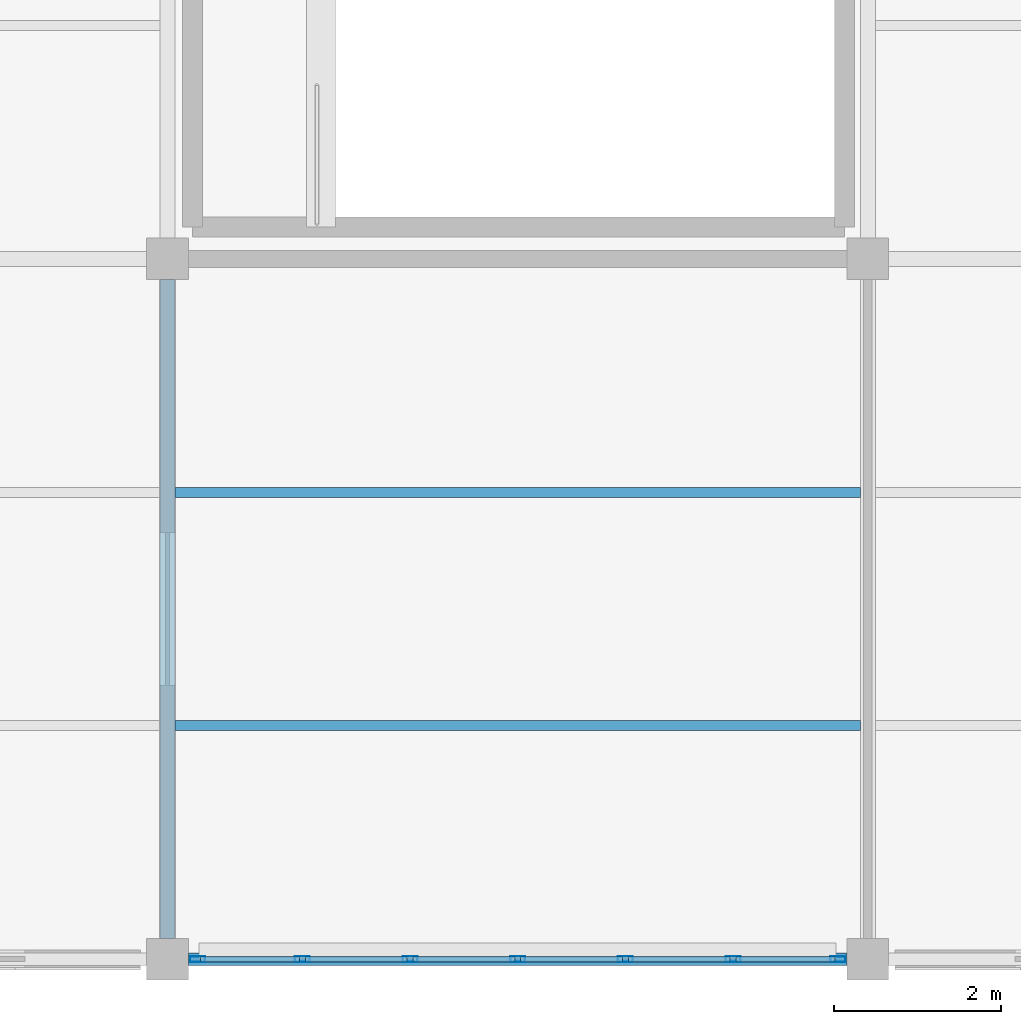
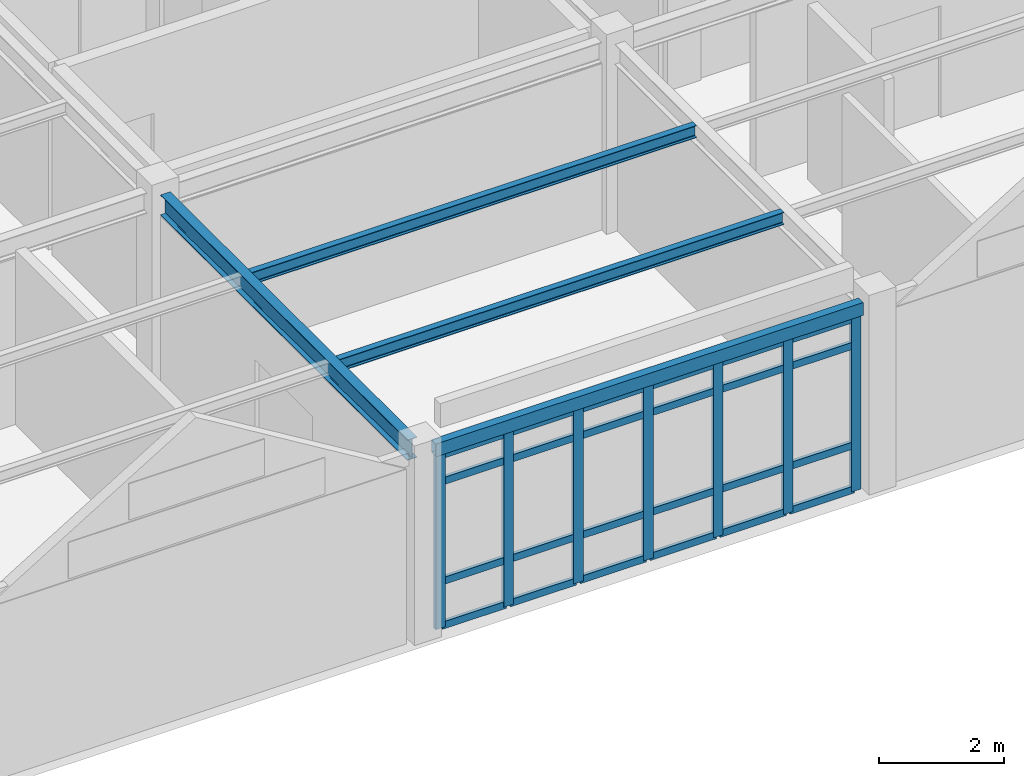
# One storey, part 2 of 45: 31 members, 4 beams, 1 element without a shape of its own.
"""IFC4 building model written with IfcOpenShell, lengths in metres."""

from ifc_helpers import new_model, si_unit, direction, frame, origin, origin_2d, place, context, subcontext, project, spatial, hollow_rectangle, i_section, extrude, material, layer, layer_set, material_profile, profile_set, type_object, element, aggregate, save


model = new_model("IFC4")

# Units and contexts
model_context = context("Model", 3, precision=1e-05, world=origin(), true_north=direction((0.0, 1.0)))
body_context = subcontext(model_context, "Body", "Model", "MODEL_VIEW")
ifc_project = project(units=[si_unit("LENGTHUNIT", "METRE"), si_unit("AREAUNIT", "SQUARE_METRE"), si_unit("VOLUMEUNIT", "CUBIC_METRE"), si_unit("PLANEANGLEUNIT", "RADIAN"), si_unit("MASSUNIT", "GRAM", prefix="KILO")], contexts=[model_context])

# Site, building, storey
site_placement = place(None, origin())
site = spatial("IfcSite", under=ifc_project, at=site_placement, CompositionType="ELEMENT")
building_placement = place(site_placement, origin())
building = spatial("IfcBuilding", under=site, at=building_placement, Name="Bramfleet General Hospital", CompositionType="ELEMENT")
storey_placement = place(building_placement, frame((0.0, 0.0, 30.300048828125)))
storey = spatial("IfcBuildingStorey", under=building, at=storey_placement, Name="L07", CompositionType="ELEMENT", Elevation=30.300048828125)

# Beams
ifc_material_1 = material(Name="Steel S355", Category="steel")
ifc_material_profile_1 = material_profile(ifc_material_1, i_section(OverallWidth=0.1201171875, OverallDepth=0.239990234375, WebThickness=0.006103515625, FlangeThickness=0.009765625, FilletRadius=0.014892578125, at=origin_2d()), Name="IPE 240")
ifc_profile_set_1 = profile_set([ifc_material_profile_1], Name="Steel S355")
beam_type_1 = type_object("IfcBeamType", Name="BM-IPE240", PredefinedType="JOIST", material=ifc_profile_set_1)
for number, where, z_axis, x_axis, name in (
    (1, (100.889892578125, 2.800048828125, 3.5400390625), (1.0, 0.0, 0.0), (0.0, 1.0, 0.0), "L07 Secondary Joist 12-00-1"),
    (2, (100.889892578125, 5.60009765625, 3.5400390625), (1.0, 0.0, 0.0), (0.0, 1.0, 0.0), "L07 Secondary Joist 12-00-2"),
):
    element("IfcBeam", number, at=place(storey_placement, frame(where, z_axis=z_axis, x_axis=x_axis)), inside=storey, type_object=beam_type_1, Name=name, PredefinedType="JOIST", context=body_context, shape_type="SweptSolid", body=[
        extrude(i_section(OverallWidth=0.1201171875, OverallDepth=0.239990234375, WebThickness=0.006103515625, FlangeThickness=0.009765625, FilletRadius=0.014892578125, at=origin_2d()), origin(), (0.0, 0.0, 1.0), 8.22021484375),
    ])
ifc_material_profile_2 = material_profile(ifc_material_1, i_section(OverallWidth=0.179931640625, OverallDepth=0.39990234375, WebThickness=0.008544921875, FlangeThickness=0.013427734375, FilletRadius=0.02099609375, at=origin_2d()), Name="IPE 400")
ifc_profile_set_2 = profile_set([ifc_material_profile_2], Name="Steel S355")
beam_type_2 = type_object("IfcBeamType", Name="BM-IPE400", PredefinedType="BEAM", material=ifc_profile_set_2)
beam_1_placement = place(storey_placement, frame((100.800048828125, 0.25, 3.4599609375), z_axis=(0.0, 1.0, 0.0), x_axis=(-1.0, 0.0, 0.0)))
element("IfcBeam", 3, at=beam_1_placement, inside=storey, type_object=beam_type_2, Name="L07 Grid Beam Y 12-00", PredefinedType="BEAM", context=body_context, shape_type="SweptSolid", body=[
    extrude(i_section(OverallWidth=0.179931640625, OverallDepth=0.39990234375, WebThickness=0.008544921875, FlangeThickness=0.013427734375, FilletRadius=0.02099609375, at=origin_2d()), origin(), (0.0, 0.0, 1.0), 7.89990234375),
])
ifc_material_profile_3 = material_profile(ifc_material_1, hollow_rectangle(XDim=0.14990234375, YDim=0.25, WallThickness=0.010009765625, at=origin_2d()), Name="RHS 250x150x10.0")
ifc_profile_set_3 = profile_set([ifc_material_profile_3], Name="Steel S355")
beam_type_3 = type_object("IfcBeamType", Name="BM-RHS250", PredefinedType="SPANDREL", material=ifc_profile_set_3)
beam_2_placement = place(storey_placement, frame((101.050048828125, 0.0, 3.534912109375), z_axis=(1.0, 0.0, 0.0), x_axis=(0.0, 1.0, 0.0)))
element("IfcBeam", 4, at=beam_2_placement, inside=storey, type_object=beam_type_3, Name="L07 Grid Beam X 12-00", PredefinedType="SPANDREL", context=body_context, shape_type="SweptSolid", body=[
    extrude(hollow_rectangle(XDim=0.14990234375, YDim=0.25, WallThickness=0.010009765625, at=origin_2d()), origin(), (0.0, 0.0, 1.0), 7.89990234375),
])

# Curtain wall, members
ifc_material_2 = material(Name="Anodised aluminium and low-E triple glazing", Category="aluminium")
ifc_layer = layer(ifc_material_2, 0.179931640625, Name="CWT-CW-16")
ifc_layer_set = layer_set([ifc_layer], Name="Anodised aluminium and low-E triple glazing")
curtain_wall_type = type_object("IfcCurtainWallType", Name="CWT-CW-16", PredefinedType="USERDEFINED", material=ifc_layer_set)
curtain_wall_placement = place(storey_placement, origin())
curtain_wall = element("IfcCurtainWall", 5, at=curtain_wall_placement, inside=storey, type_object=curtain_wall_type, Name="L07 Curtain Wall 232", ObjectType="Stick curtain wall", PredefinedType="USERDEFINED")
ifc_material_3 = material(Name="Anodised aluminium EN AW-6060", Category="aluminium")
ifc_material_profile_4 = material_profile(ifc_material_3, hollow_rectangle(XDim=0.070068359375, YDim=0.179931640625, WallThickness=0.00390625, at=origin_2d()), Name="ALU 180x70x4.0")
ifc_profile_set_4 = profile_set([ifc_material_profile_4], Name="Anodised aluminium EN AW-6060")
member_type_1 = type_object("IfcMemberType", Name="CWM-ALU180", PredefinedType="MULLION", material=ifc_profile_set_4)
member_1_placement = place(storey_placement, frame((108.840087890625, 0.0, 0.0), z_axis=(0.0, 0.0, 1.0), x_axis=(0.0, -1.0, 0.0)))
member_1 = element("IfcMember", 6, at=member_1_placement, type_object=member_type_1, Name="CW-16 mullion 1", PredefinedType="MULLION", context=body_context, shape_type="SweptSolid", body=[
    extrude(hollow_rectangle(XDim=0.070068359375, YDim=0.179931640625, WallThickness=0.00390625, at=origin_2d()), origin(), (0.0, 0.0, 1.0), 3.39990234375),
])
member_2_placement = place(storey_placement, frame((107.583251953125, 0.0, 0.0), z_axis=(0.0, 0.0, 1.0), x_axis=(0.0, -1.0, 0.0)))
member_2 = element("IfcMember", 7, at=member_2_placement, type_object=member_type_1, Name="CW-16 mullion 2", PredefinedType="MULLION", context=body_context, shape_type="SweptSolid", body=[
    extrude(hollow_rectangle(XDim=0.070068359375, YDim=0.179931640625, WallThickness=0.00390625, at=origin_2d()), origin(), (0.0, 0.0, 1.0), 3.39990234375),
])
member_3_placement = place(storey_placement, frame((106.291748046875, 0.0, 0.0), z_axis=(0.0, 0.0, 1.0), x_axis=(0.0, -1.0, 0.0)))
member_3 = element("IfcMember", 8, at=member_3_placement, type_object=member_type_1, Name="CW-16 mullion 3", PredefinedType="MULLION", context=body_context, shape_type="SweptSolid", body=[
    extrude(hollow_rectangle(XDim=0.070068359375, YDim=0.179931640625, WallThickness=0.00390625, at=origin_2d()), origin(), (0.0, 0.0, 1.0), 3.39990234375),
])
member_4_placement = place(storey_placement, frame((105.0, 0.0, 0.0), z_axis=(0.0, 0.0, 1.0), x_axis=(0.0, -1.0, 0.0)))
member_4 = element("IfcMember", 9, at=member_4_placement, type_object=member_type_1, Name="CW-16 mullion 4", PredefinedType="MULLION", context=body_context, shape_type="SweptSolid", body=[
    extrude(hollow_rectangle(XDim=0.070068359375, YDim=0.179931640625, WallThickness=0.00390625, at=origin_2d()), origin(), (0.0, 0.0, 1.0), 3.39990234375),
])
member_5_placement = place(storey_placement, frame((103.708251953125, 0.0, 0.0), z_axis=(0.0, 0.0, 1.0), x_axis=(0.0, -1.0, 0.0)))
member_5 = element("IfcMember", 10, at=member_5_placement, type_object=member_type_1, Name="CW-16 mullion 5", PredefinedType="MULLION", context=body_context, shape_type="SweptSolid", body=[
    extrude(hollow_rectangle(XDim=0.070068359375, YDim=0.179931640625, WallThickness=0.00390625, at=origin_2d()), origin(), (0.0, 0.0, 1.0), 3.39990234375),
])
member_6_placement = place(storey_placement, frame((102.416748046875, 0.0, 0.0), z_axis=(0.0, 0.0, 1.0), x_axis=(0.0, -1.0, 0.0)))
member_6 = element("IfcMember", 11, at=member_6_placement, type_object=member_type_1, Name="CW-16 mullion 6", PredefinedType="MULLION", context=body_context, shape_type="SweptSolid", body=[
    extrude(hollow_rectangle(XDim=0.070068359375, YDim=0.179931640625, WallThickness=0.00390625, at=origin_2d()), origin(), (0.0, 0.0, 1.0), 3.39990234375),
])
member_7_placement = place(storey_placement, frame((101.159912109375, 0.0, 0.0), z_axis=(0.0, 0.0, 1.0), x_axis=(0.0, -1.0, 0.0)))
member_7 = element("IfcMember", 12, at=member_7_placement, type_object=member_type_1, Name="CW-16 mullion 7", PredefinedType="MULLION", context=body_context, shape_type="SweptSolid", body=[
    extrude(hollow_rectangle(XDim=0.070068359375, YDim=0.179931640625, WallThickness=0.00390625, at=origin_2d()), origin(), (0.0, 0.0, 1.0), 3.39990234375),
])
ifc_material_profile_5 = material_profile(ifc_material_3, hollow_rectangle(XDim=0.06494140625, YDim=0.139892578125, WallThickness=0.00390625, at=origin_2d()), Name="ALU 140x65x4.0")
ifc_profile_set_5 = profile_set([ifc_material_profile_5], Name="Anodised aluminium EN AW-6060")
member_type_2 = type_object("IfcMemberType", Name="CWT-ALU140", PredefinedType="USERDEFINED", material=ifc_profile_set_5)
member_8_placement = place(storey_placement, frame((108.804931640625, 0.0, 0.032470703125), z_axis=(-1.0, 0.0, 0.0), x_axis=(0.0, -1.0, 0.0)))
member_8 = element("IfcMember", 13, at=member_8_placement, type_object=member_type_2, Name="CW-16 transom 1.1", ObjectType="TRANSOM", PredefinedType="USERDEFINED", context=body_context, shape_type="SweptSolid", body=[
    extrude(hollow_rectangle(XDim=0.06494140625, YDim=0.139892578125, WallThickness=0.00390625, at=origin_2d()), origin(), (0.0, 0.0, 1.0), 1.1865234375),
])
member_9_placement = place(storey_placement, frame((108.804931640625, 0.0, 0.89990234375), z_axis=(-1.0, 0.0, 0.0), x_axis=(0.0, -1.0, 0.0)))
member_9 = element("IfcMember", 14, at=member_9_placement, type_object=member_type_2, Name="CW-16 transom 1.2", ObjectType="TRANSOM", PredefinedType="USERDEFINED", context=body_context, shape_type="SweptSolid", body=[
    extrude(hollow_rectangle(XDim=0.06494140625, YDim=0.139892578125, WallThickness=0.00390625, at=origin_2d()), origin(), (0.0, 0.0, 1.0), 1.1865234375),
])
member_10_placement = place(storey_placement, frame((108.804931640625, 0.0, 2.849853515625), z_axis=(-1.0, 0.0, 0.0), x_axis=(0.0, -1.0, 0.0)))
member_10 = element("IfcMember", 15, at=member_10_placement, type_object=member_type_2, Name="CW-16 transom 1.3", ObjectType="TRANSOM", PredefinedType="USERDEFINED", context=body_context, shape_type="SweptSolid", body=[
    extrude(hollow_rectangle(XDim=0.06494140625, YDim=0.139892578125, WallThickness=0.00390625, at=origin_2d()), origin(), (0.0, 0.0, 1.0), 1.1865234375),
])
member_11_placement = place(storey_placement, frame((108.804931640625, 0.0, 3.367431640625), z_axis=(-1.0, 0.0, 0.0), x_axis=(0.0, -1.0, 0.0)))
member_11 = element("IfcMember", 16, at=member_11_placement, type_object=member_type_2, Name="CW-16 transom 1.4", ObjectType="TRANSOM", PredefinedType="USERDEFINED", context=body_context, shape_type="SweptSolid", body=[
    extrude(hollow_rectangle(XDim=0.06494140625, YDim=0.139892578125, WallThickness=0.00390625, at=origin_2d()), origin(), (0.0, 0.0, 1.0), 1.1865234375),
])
member_12_placement = place(storey_placement, frame((107.54833984375, 0.0, 0.032470703125), z_axis=(-1.0, 0.0, 0.0), x_axis=(0.0, -1.0, 0.0)))
member_12 = element("IfcMember", 17, at=member_12_placement, type_object=member_type_2, Name="CW-16 transom 2.1", ObjectType="TRANSOM", PredefinedType="USERDEFINED", context=body_context, shape_type="SweptSolid", body=[
    extrude(hollow_rectangle(XDim=0.06494140625, YDim=0.139892578125, WallThickness=0.00390625, at=origin_2d()), origin(), (0.0, 0.0, 1.0), 1.2216796875),
])
member_13_placement = place(storey_placement, frame((107.54833984375, 0.0, 0.89990234375), z_axis=(-1.0, 0.0, 0.0), x_axis=(0.0, -1.0, 0.0)))
member_13 = element("IfcMember", 18, at=member_13_placement, type_object=member_type_2, Name="CW-16 transom 2.2", ObjectType="TRANSOM", PredefinedType="USERDEFINED", context=body_context, shape_type="SweptSolid", body=[
    extrude(hollow_rectangle(XDim=0.06494140625, YDim=0.139892578125, WallThickness=0.00390625, at=origin_2d()), origin(), (0.0, 0.0, 1.0), 1.2216796875),
])
member_14_placement = place(storey_placement, frame((107.54833984375, 0.0, 2.849853515625), z_axis=(-1.0, 0.0, 0.0), x_axis=(0.0, -1.0, 0.0)))
member_14 = element("IfcMember", 19, at=member_14_placement, type_object=member_type_2, Name="CW-16 transom 2.3", ObjectType="TRANSOM", PredefinedType="USERDEFINED", context=body_context, shape_type="SweptSolid", body=[
    extrude(hollow_rectangle(XDim=0.06494140625, YDim=0.139892578125, WallThickness=0.00390625, at=origin_2d()), origin(), (0.0, 0.0, 1.0), 1.2216796875),
])
member_15_placement = place(storey_placement, frame((107.54833984375, 0.0, 3.367431640625), z_axis=(-1.0, 0.0, 0.0), x_axis=(0.0, -1.0, 0.0)))
member_15 = element("IfcMember", 20, at=member_15_placement, type_object=member_type_2, Name="CW-16 transom 2.4", ObjectType="TRANSOM", PredefinedType="USERDEFINED", context=body_context, shape_type="SweptSolid", body=[
    extrude(hollow_rectangle(XDim=0.06494140625, YDim=0.139892578125, WallThickness=0.00390625, at=origin_2d()), origin(), (0.0, 0.0, 1.0), 1.2216796875),
])
member_16_placement = place(storey_placement, frame((106.256591796875, 0.0, 0.032470703125), z_axis=(-1.0, 0.0, 0.0), x_axis=(0.0, -1.0, 0.0)))
member_16 = element("IfcMember", 21, at=member_16_placement, type_object=member_type_2, Name="CW-16 transom 3.1", ObjectType="TRANSOM", PredefinedType="USERDEFINED", context=body_context, shape_type="SweptSolid", body=[
    extrude(hollow_rectangle(XDim=0.06494140625, YDim=0.139892578125, WallThickness=0.00390625, at=origin_2d()), origin(), (0.0, 0.0, 1.0), 1.2216796875),
])
member_17_placement = place(storey_placement, frame((106.256591796875, 0.0, 0.89990234375), z_axis=(-1.0, 0.0, 0.0), x_axis=(0.0, -1.0, 0.0)))
member_17 = element("IfcMember", 22, at=member_17_placement, type_object=member_type_2, Name="CW-16 transom 3.2", ObjectType="TRANSOM", PredefinedType="USERDEFINED", context=body_context, shape_type="SweptSolid", body=[
    extrude(hollow_rectangle(XDim=0.06494140625, YDim=0.139892578125, WallThickness=0.00390625, at=origin_2d()), origin(), (0.0, 0.0, 1.0), 1.2216796875),
])
member_18_placement = place(storey_placement, frame((106.256591796875, 0.0, 2.849853515625), z_axis=(-1.0, 0.0, 0.0), x_axis=(0.0, -1.0, 0.0)))
member_18 = element("IfcMember", 23, at=member_18_placement, type_object=member_type_2, Name="CW-16 transom 3.3", ObjectType="TRANSOM", PredefinedType="USERDEFINED", context=body_context, shape_type="SweptSolid", body=[
    extrude(hollow_rectangle(XDim=0.06494140625, YDim=0.139892578125, WallThickness=0.00390625, at=origin_2d()), origin(), (0.0, 0.0, 1.0), 1.2216796875),
])
member_19_placement = place(storey_placement, frame((106.256591796875, 0.0, 3.367431640625), z_axis=(-1.0, 0.0, 0.0), x_axis=(0.0, -1.0, 0.0)))
member_19 = element("IfcMember", 24, at=member_19_placement, type_object=member_type_2, Name="CW-16 transom 3.4", ObjectType="TRANSOM", PredefinedType="USERDEFINED", context=body_context, shape_type="SweptSolid", body=[
    extrude(hollow_rectangle(XDim=0.06494140625, YDim=0.139892578125, WallThickness=0.00390625, at=origin_2d()), origin(), (0.0, 0.0, 1.0), 1.2216796875),
])
member_20_placement = place(storey_placement, frame((104.965087890625, 0.0, 0.032470703125), z_axis=(-1.0, 0.0, 0.0), x_axis=(0.0, -1.0, 0.0)))
member_20 = element("IfcMember", 25, at=member_20_placement, type_object=member_type_2, Name="CW-16 transom 4.1", ObjectType="TRANSOM", PredefinedType="USERDEFINED", context=body_context, shape_type="SweptSolid", body=[
    extrude(hollow_rectangle(XDim=0.06494140625, YDim=0.139892578125, WallThickness=0.00390625, at=origin_2d()), origin(), (0.0, 0.0, 1.0), 1.2216796875),
])
member_21_placement = place(storey_placement, frame((104.965087890625, 0.0, 0.89990234375), z_axis=(-1.0, 0.0, 0.0), x_axis=(0.0, -1.0, 0.0)))
member_21 = element("IfcMember", 26, at=member_21_placement, type_object=member_type_2, Name="CW-16 transom 4.2", ObjectType="TRANSOM", PredefinedType="USERDEFINED", context=body_context, shape_type="SweptSolid", body=[
    extrude(hollow_rectangle(XDim=0.06494140625, YDim=0.139892578125, WallThickness=0.00390625, at=origin_2d()), origin(), (0.0, 0.0, 1.0), 1.2216796875),
])
member_22_placement = place(storey_placement, frame((104.965087890625, 0.0, 2.849853515625), z_axis=(-1.0, 0.0, 0.0), x_axis=(0.0, -1.0, 0.0)))
member_22 = element("IfcMember", 27, at=member_22_placement, type_object=member_type_2, Name="CW-16 transom 4.3", ObjectType="TRANSOM", PredefinedType="USERDEFINED", context=body_context, shape_type="SweptSolid", body=[
    extrude(hollow_rectangle(XDim=0.06494140625, YDim=0.139892578125, WallThickness=0.00390625, at=origin_2d()), origin(), (0.0, 0.0, 1.0), 1.2216796875),
])
member_23_placement = place(storey_placement, frame((104.965087890625, 0.0, 3.367431640625), z_axis=(-1.0, 0.0, 0.0), x_axis=(0.0, -1.0, 0.0)))
member_23 = element("IfcMember", 28, at=member_23_placement, type_object=member_type_2, Name="CW-16 transom 4.4", ObjectType="TRANSOM", PredefinedType="USERDEFINED", context=body_context, shape_type="SweptSolid", body=[
    extrude(hollow_rectangle(XDim=0.06494140625, YDim=0.139892578125, WallThickness=0.00390625, at=origin_2d()), origin(), (0.0, 0.0, 1.0), 1.2216796875),
])
member_24_placement = place(storey_placement, frame((103.67333984375, 0.0, 0.032470703125), z_axis=(-1.0, 0.0, 0.0), x_axis=(0.0, -1.0, 0.0)))
member_24 = element("IfcMember", 29, at=member_24_placement, type_object=member_type_2, Name="CW-16 transom 5.1", ObjectType="TRANSOM", PredefinedType="USERDEFINED", context=body_context, shape_type="SweptSolid", body=[
    extrude(hollow_rectangle(XDim=0.06494140625, YDim=0.139892578125, WallThickness=0.00390625, at=origin_2d()), origin(), (0.0, 0.0, 1.0), 1.2216796875),
])
member_25_placement = place(storey_placement, frame((103.67333984375, 0.0, 0.89990234375), z_axis=(-1.0, 0.0, 0.0), x_axis=(0.0, -1.0, 0.0)))
member_25 = element("IfcMember", 30, at=member_25_placement, type_object=member_type_2, Name="CW-16 transom 5.2", ObjectType="TRANSOM", PredefinedType="USERDEFINED", context=body_context, shape_type="SweptSolid", body=[
    extrude(hollow_rectangle(XDim=0.06494140625, YDim=0.139892578125, WallThickness=0.00390625, at=origin_2d()), origin(), (0.0, 0.0, 1.0), 1.2216796875),
])
member_26_placement = place(storey_placement, frame((103.67333984375, 0.0, 2.849853515625), z_axis=(-1.0, 0.0, 0.0), x_axis=(0.0, -1.0, 0.0)))
member_26 = element("IfcMember", 31, at=member_26_placement, type_object=member_type_2, Name="CW-16 transom 5.3", ObjectType="TRANSOM", PredefinedType="USERDEFINED", context=body_context, shape_type="SweptSolid", body=[
    extrude(hollow_rectangle(XDim=0.06494140625, YDim=0.139892578125, WallThickness=0.00390625, at=origin_2d()), origin(), (0.0, 0.0, 1.0), 1.2216796875),
])
member_27_placement = place(storey_placement, frame((103.67333984375, 0.0, 3.367431640625), z_axis=(-1.0, 0.0, 0.0), x_axis=(0.0, -1.0, 0.0)))
member_27 = element("IfcMember", 32, at=member_27_placement, type_object=member_type_2, Name="CW-16 transom 5.4", ObjectType="TRANSOM", PredefinedType="USERDEFINED", context=body_context, shape_type="SweptSolid", body=[
    extrude(hollow_rectangle(XDim=0.06494140625, YDim=0.139892578125, WallThickness=0.00390625, at=origin_2d()), origin(), (0.0, 0.0, 1.0), 1.2216796875),
])
member_28_placement = place(storey_placement, frame((102.381591796875, 0.0, 0.032470703125), z_axis=(-1.0, 0.0, 0.0), x_axis=(0.0, -1.0, 0.0)))
member_28 = element("IfcMember", 33, at=member_28_placement, type_object=member_type_2, Name="CW-16 transom 6.1", ObjectType="TRANSOM", PredefinedType="USERDEFINED", context=body_context, shape_type="SweptSolid", body=[
    extrude(hollow_rectangle(XDim=0.06494140625, YDim=0.139892578125, WallThickness=0.00390625, at=origin_2d()), origin(), (0.0, 0.0, 1.0), 1.1865234375),
])
member_29_placement = place(storey_placement, frame((102.381591796875, 0.0, 0.89990234375), z_axis=(-1.0, 0.0, 0.0), x_axis=(0.0, -1.0, 0.0)))
member_29 = element("IfcMember", 34, at=member_29_placement, type_object=member_type_2, Name="CW-16 transom 6.2", ObjectType="TRANSOM", PredefinedType="USERDEFINED", context=body_context, shape_type="SweptSolid", body=[
    extrude(hollow_rectangle(XDim=0.06494140625, YDim=0.139892578125, WallThickness=0.00390625, at=origin_2d()), origin(), (0.0, 0.0, 1.0), 1.1865234375),
])
member_30_placement = place(storey_placement, frame((102.381591796875, 0.0, 2.849853515625), z_axis=(-1.0, 0.0, 0.0), x_axis=(0.0, -1.0, 0.0)))
member_30 = element("IfcMember", 35, at=member_30_placement, type_object=member_type_2, Name="CW-16 transom 6.3", ObjectType="TRANSOM", PredefinedType="USERDEFINED", context=body_context, shape_type="SweptSolid", body=[
    extrude(hollow_rectangle(XDim=0.06494140625, YDim=0.139892578125, WallThickness=0.00390625, at=origin_2d()), origin(), (0.0, 0.0, 1.0), 1.1865234375),
])
member_31_placement = place(storey_placement, frame((102.381591796875, 0.0, 3.367431640625), z_axis=(-1.0, 0.0, 0.0), x_axis=(0.0, -1.0, 0.0)))
member_31 = element("IfcMember", 36, at=member_31_placement, type_object=member_type_2, Name="CW-16 transom 6.4", ObjectType="TRANSOM", PredefinedType="USERDEFINED", context=body_context, shape_type="SweptSolid", body=[
    extrude(hollow_rectangle(XDim=0.06494140625, YDim=0.139892578125, WallThickness=0.00390625, at=origin_2d()), origin(), (0.0, 0.0, 1.0), 1.1865234375),
])
aggregate(curtain_wall, [member_1, member_2, member_3, member_4, member_5, member_6, member_7, member_8, member_9, member_10, member_11, member_12, member_13, member_14, member_15, member_16, member_17, member_18, member_19, member_20, member_21, member_22, member_23, member_24, member_25, member_26, member_27, member_28, member_29, member_30, member_31])

save(model, "model.ifc")
